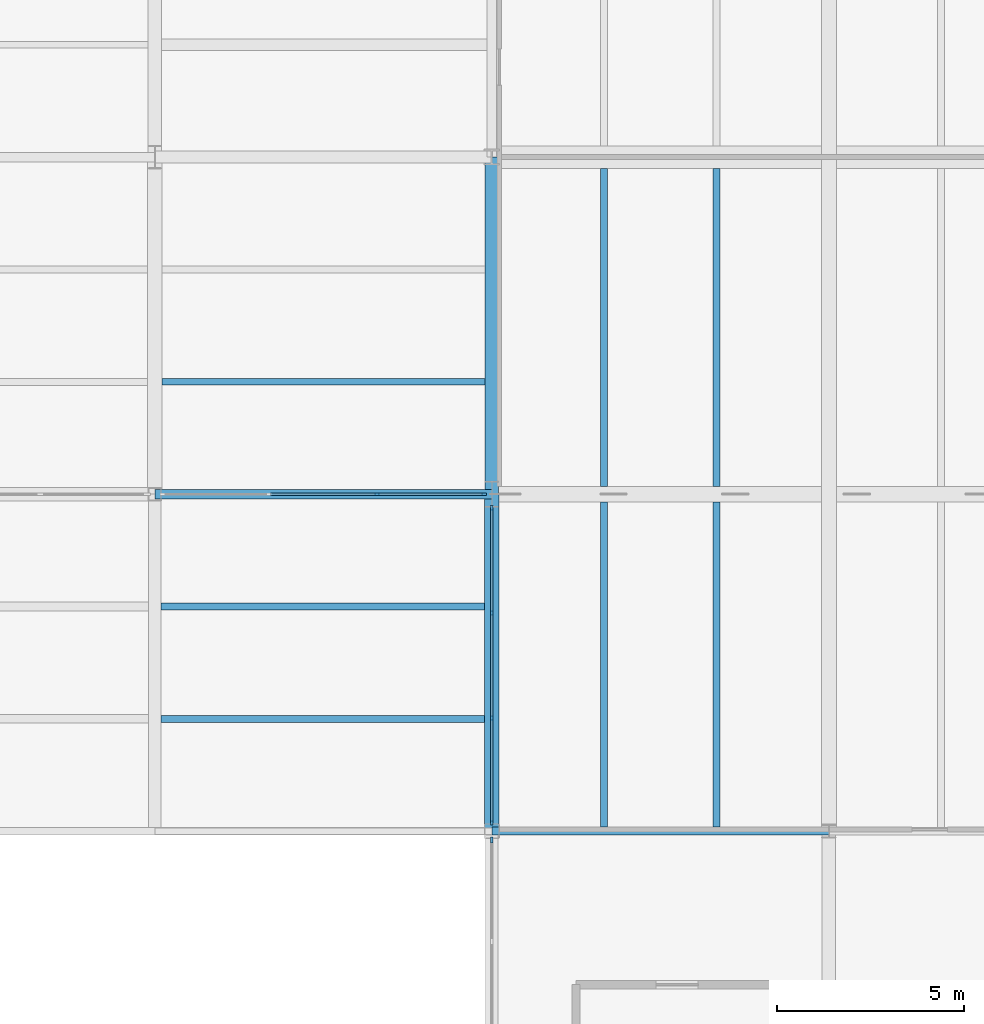
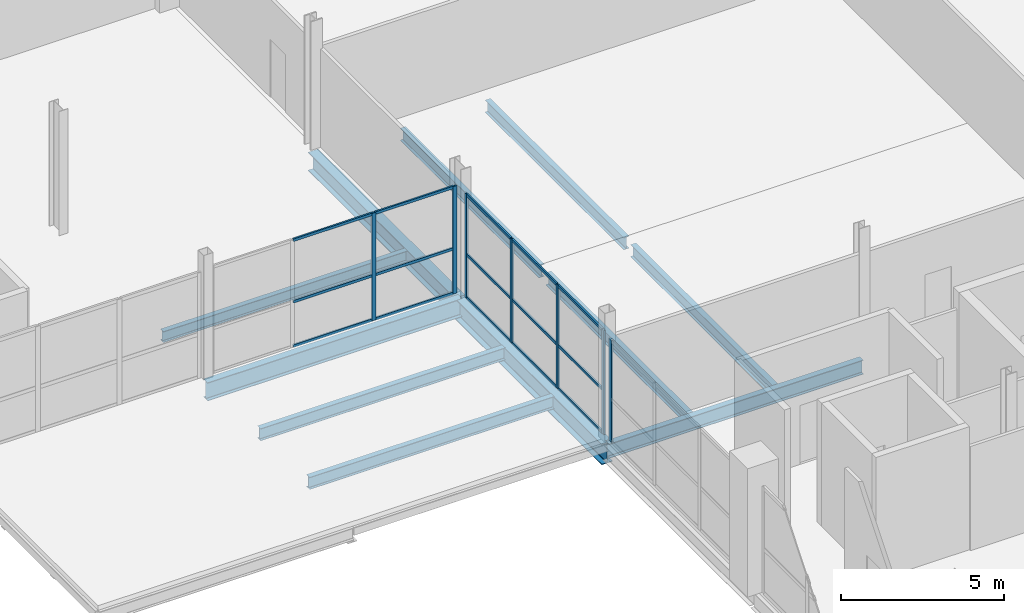
# One storey, part 17 of 69: 22 members, 11 beams, 3 elements without a shape of their own.
"""IFC4 building model written with IfcOpenShell, lengths in metres."""

from ifc_helpers import new_model, si_unit, direction, frame, origin, origin_2d, place, context, subcontext, project, spatial, rectangle, i_section, extrude, material, layer, layer_set, material_profile, profile_set, type_object, element, aggregate, save


model = new_model("IFC4")

# Units and contexts
model_context = context("Model", 3, precision=1e-05, world=origin(), true_north=direction((0.0, 1.0)))
body_context = subcontext(model_context, "Body", "Model", "MODEL_VIEW")
ifc_project = project(units=[si_unit("LENGTHUNIT", "METRE"), si_unit("AREAUNIT", "SQUARE_METRE"), si_unit("VOLUMEUNIT", "CUBIC_METRE"), si_unit("PLANEANGLEUNIT", "RADIAN"), si_unit("MASSUNIT", "GRAM", prefix="KILO")], contexts=[model_context])

# Site, building, storey
site_placement = place(None, origin())
site = spatial("IfcSite", under=ifc_project, at=site_placement, CompositionType="ELEMENT")
building_placement = place(site_placement, origin())
building = spatial("IfcBuilding", under=site, at=building_placement, Name="Qamarlyn Nura Convention Centre", CompositionType="ELEMENT")
storey_placement = place(building_placement, frame((0.0, 0.0, 15.60009765625)))
storey = spatial("IfcBuildingStorey", under=building, at=storey_placement, Name="L03", CompositionType="ELEMENT", Elevation=15.60009765625)

# Beams
ifc_material_1 = material(Name="Steel ASTM A992", Category="steel")
ifc_material_profile_1 = material_profile(ifc_material_1, i_section(OverallWidth=0.35498046875, OverallDepth=0.695068359375, WebThickness=0.015380859375, FlangeThickness=0.02490234375, FilletRadius=0.01806640625, at=origin_2d()), Name="W690X217")
ifc_profile_set_1 = profile_set([ifc_material_profile_1], Name="Steel ASTM A992")
beam_type_1 = type_object("IfcBeamType", Name="BM-GIRD-690A", PredefinedType="BEAM", material=ifc_profile_set_1)
beam_1_placement = place(storey_placement, frame((153.0, 27.0, -0.547607421875), z_axis=(0.0, 1.0, 0.0), x_axis=(-1.0, 0.0, 0.0)))
element("IfcBeam", 1, at=beam_1_placement, inside=storey, type_object=beam_type_1, Name="L03 girder 13 D-E", PredefinedType="BEAM", context=body_context, shape_type="SweptSolid", body=[
    extrude(i_section(OverallWidth=0.35498046875, OverallDepth=0.695068359375, WebThickness=0.015380859375, FlangeThickness=0.02490234375, FilletRadius=0.01806640625, at=origin_2d()), origin(), (0.0, 0.0, 1.0), 9.0),
])
ifc_material_profile_2 = material_profile(ifc_material_1, i_section(OverallWidth=0.25390625, OverallDepth=0.68408203125, WebThickness=0.012451171875, FlangeThickness=0.01904296875, FilletRadius=0.01806640625, at=origin_2d()), Name="W690X140")
ifc_profile_set_2 = profile_set([ifc_material_profile_2], Name="Steel ASTM A992")
beam_type_2 = type_object("IfcBeamType", Name="BM-GIRD-690B", PredefinedType="BEAM", material=ifc_profile_set_2)
beam_2_placement = place(storey_placement, frame((144.0, 27.0, -0.5419921875), z_axis=(1.0, 0.0, 0.0), x_axis=(0.0, 1.0, 0.0)))
element("IfcBeam", 2, at=beam_2_placement, inside=storey, type_object=beam_type_2, Name="L03 girder D 12-13", PredefinedType="BEAM", context=body_context, shape_type="SweptSolid", body=[
    extrude(i_section(OverallWidth=0.25390625, OverallDepth=0.68408203125, WebThickness=0.012451171875, FlangeThickness=0.01904296875, FilletRadius=0.01806640625, at=origin_2d()), origin(), (0.0, 0.0, 1.0), 9.0),
])
ifc_material_profile_3 = material_profile(ifc_material_1, i_section(OverallWidth=0.381103515625, OverallDepth=0.77294921875, WebThickness=0.0166015625, FlangeThickness=0.027587890625, FilletRadius=0.02001953125, at=origin_2d()), Name="W760X257")
ifc_profile_set_3 = profile_set([ifc_material_profile_3], Name="Steel ASTM A992")
beam_type_3 = type_object("IfcBeamType", Name="BM-GIRD-760", PredefinedType="BEAM", material=ifc_profile_set_3)
beam_3_placement = place(storey_placement, frame((153.0, 18.0, -0.586669921875), z_axis=(0.0, 1.0, 0.0), x_axis=(-1.0, 0.0, 0.0)))
element("IfcBeam", 3, at=beam_3_placement, inside=storey, type_object=beam_type_3, Name="L03 girder 13 C-D", PredefinedType="BEAM", context=body_context, shape_type="SweptSolid", body=[
    extrude(i_section(OverallWidth=0.381103515625, OverallDepth=0.77294921875, WebThickness=0.0166015625, FlangeThickness=0.027587890625, FilletRadius=0.02001953125, at=origin_2d()), origin(), (0.0, 0.0, 1.0), 9.0),
])
ifc_material_profile_4 = material_profile(ifc_material_1, i_section(OverallWidth=0.177978515625, OverallDepth=0.406982421875, WebThickness=0.0078125, FlangeThickness=0.0126953125, FilletRadius=0.011962890625, at=origin_2d()), Name="W410X60")
ifc_profile_set_4 = profile_set([ifc_material_profile_4], Name="Steel ASTM A992")
beam_type_4 = type_object("IfcBeamType", Name="BM-JOIST-410", PredefinedType="JOIST", material=ifc_profile_set_4)
beam_4_placement = place(storey_placement, frame((144.1904296875, 30.0, -0.403564453125), z_axis=(1.0, 0.0, 0.0), x_axis=(0.0, 1.0, 0.0)))
element("IfcBeam", 4, at=beam_4_placement, inside=storey, type_object=beam_type_4, Name="L03 composite joist 12-13/D+1", PredefinedType="JOIST", context=body_context, shape_type="SweptSolid", body=[
    extrude(i_section(OverallWidth=0.177978515625, OverallDepth=0.406982421875, WebThickness=0.0078125, FlangeThickness=0.0126953125, FilletRadius=0.011962890625, at=origin_2d()), origin(), (0.0, 0.0, 1.0), 8.632080078125),
])
ifc_material_profile_5 = material_profile(ifc_material_1, i_section(OverallWidth=0.18994140625, OverallDepth=0.45703125, WebThickness=0.009033203125, FlangeThickness=0.014404296875, FilletRadius=0.012939453125, at=origin_2d()), Name="W460X74")
ifc_profile_set_5 = profile_set([ifc_material_profile_5], Name="Steel ASTM A992")
beam_type_5 = type_object("IfcBeamType", Name="BM-JOIST-460", PredefinedType="JOIST", material=ifc_profile_set_5)
for number, where, z_axis, x_axis, name in (
    (5, (144.162109375, 21.0, -0.403564453125), (1.0, 0.0, 0.0), (0.0, 1.0, 0.0), "L03 composite joist 12-13/C+1"),
    (6, (144.162109375, 24.0, -0.403564453125), (1.0, 0.0, 0.0), (0.0, 1.0, 0.0), "L03 composite joist 12-13/C+2"),
):
    element("IfcBeam", number, at=place(storey_placement, frame(where, z_axis=z_axis, x_axis=x_axis)), inside=storey, type_object=beam_type_5, Name=name, PredefinedType="JOIST", context=body_context, shape_type="SweptSolid", body=[
        extrude(i_section(OverallWidth=0.18994140625, OverallDepth=0.45703125, WebThickness=0.009033203125, FlangeThickness=0.014404296875, FilletRadius=0.012939453125, at=origin_2d()), origin(), (0.0, 0.0, 1.0), 8.6474609375),
    ])
for number, where, z_axis, x_axis, name in (
    (7, (156.0, 18.10546875, -0.4287109375), (0.0, 1.0, 0.0), (-1.0, 0.0, 0.0), "L03 secondary joist 13-14/C-D-04"),
    (8, (159.0, 18.10546875, -0.4287109375), (0.0, 1.0, 0.0), (-1.0, 0.0, 0.0), "L03 secondary joist 13-14/C-D-05"),
):
    element("IfcBeam", number, at=place(storey_placement, frame(where, z_axis=z_axis, x_axis=x_axis)), inside=storey, type_object=beam_type_5, Name=name, PredefinedType="JOIST", context=body_context, shape_type="SweptSolid", body=[
        extrude(i_section(OverallWidth=0.18994140625, OverallDepth=0.45703125, WebThickness=0.009033203125, FlangeThickness=0.014404296875, FilletRadius=0.012939453125, at=origin_2d()), origin(), (0.0, 0.0, 1.0), 8.685546875),
    ])
for number, where, z_axis, x_axis, name in (
    (9, (156.0, 27.208984375, -0.4287109375), (0.0, 1.0, 0.0), (-1.0, 0.0, 0.0), "L03 secondary joist 13-14/D-E-06"),
    (10, (159.0, 27.208984375, -0.4287109375), (0.0, 1.0, 0.0), (-1.0, 0.0, 0.0), "L03 secondary joist 13-14/D-E-07"),
):
    element("IfcBeam", number, at=place(storey_placement, frame(where, z_axis=z_axis, x_axis=x_axis)), inside=storey, type_object=beam_type_5, Name=name, PredefinedType="JOIST", context=body_context, shape_type="SweptSolid", body=[
        extrude(i_section(OverallWidth=0.18994140625, OverallDepth=0.45703125, WebThickness=0.009033203125, FlangeThickness=0.014404296875, FilletRadius=0.012939453125, at=origin_2d()), origin(), (0.0, 0.0, 1.0), 8.490966796875),
    ])
ifc_material_profile_6 = material_profile(ifc_material_1, i_section(OverallWidth=0.2109375, OverallDepth=0.5390625, WebThickness=0.01171875, FlangeThickness=0.018798828125, FilletRadius=0.013916015625, at=origin_2d()), Name="W530X109")
ifc_profile_set_6 = profile_set([ifc_material_profile_6], Name="Steel ASTM A992")
beam_type_6 = type_object("IfcBeamType", Name="BM-SPAN-530", PredefinedType="SPANDREL", material=ifc_profile_set_6)
beam_5_placement = place(storey_placement, frame((153.0, 18.0, -0.469482421875), z_axis=(1.0, 0.0, 0.0), x_axis=(0.0, 1.0, 0.0)))
element("IfcBeam", 11, at=beam_5_placement, inside=storey, type_object=beam_type_6, Name="L03 girder C 13-14", PredefinedType="SPANDREL", context=body_context, shape_type="SweptSolid", body=[
    extrude(i_section(OverallWidth=0.2109375, OverallDepth=0.5390625, WebThickness=0.01171875, FlangeThickness=0.018798828125, FilletRadius=0.013916015625, at=origin_2d()), origin(), (0.0, 0.0, 1.0), 9.0),
])

# Curtain wall, members
ifc_material_2 = material(Name="Double-silver low-E insulated glass", Category="glass")
ifc_layer_1 = layer(ifc_material_2, 0.179931640625, Name="CW-UNIT-123")
ifc_layer_set_1 = layer_set([ifc_layer_1], Name="Double-silver low-E insulated glass")
curtain_wall_type_1 = type_object("IfcCurtainWallType", Name="CW-UNIT-123", PredefinedType="NOTDEFINED", material=ifc_layer_set_1)
curtain_wall_1_placement = place(storey_placement, origin())
curtain_wall_1 = element("IfcCurtainWall", 12, at=curtain_wall_1_placement, inside=storey, type_object=curtain_wall_type_1, Name="L03 unitised curtain wall FCW-18-1", PredefinedType="NOTDEFINED")
ifc_material_3 = material(Name="Champagne-anodised marine aluminium", Category="aluminium")
ifc_material_profile_7 = material_profile(ifc_material_3, rectangle(XDim=0.06005859375, YDim=0.139892578125, at=origin_2d()), Name="ALU MULLION 60x140")
ifc_profile_set_7 = profile_set([ifc_material_profile_7], Name="Champagne-anodised marine aluminium")
member_type_1 = type_object("IfcMemberType", Name="CWM-140", PredefinedType="MULLION", material=ifc_profile_set_7)
member_1_placement = place(storey_placement, frame((153.0, 18.22998046875, 0.0), z_axis=(0.0, 0.0, 1.0), x_axis=(-1.0, 0.0, 0.0)))
member_1 = element("IfcMember", 13, at=member_1_placement, type_object=member_type_1, Name="CW123 mullion 1", PredefinedType="MULLION", context=body_context, shape_type="SweptSolid", body=[
    extrude(rectangle(XDim=0.06005859375, YDim=0.139892578125, at=origin_2d()), origin(), (0.0, 0.0, 1.0), 3.889892578125),
])
member_2_placement = place(storey_placement, frame((153.0, 21.017578125, 0.0), z_axis=(0.0, 0.0, 1.0), x_axis=(-1.0, 0.0, 0.0)))
member_2 = element("IfcMember", 14, at=member_2_placement, type_object=member_type_1, Name="CW123 mullion 2", PredefinedType="MULLION", context=body_context, shape_type="SweptSolid", body=[
    extrude(rectangle(XDim=0.06005859375, YDim=0.139892578125, at=origin_2d()), origin(), (0.0, 0.0, 1.0), 3.889892578125),
])
member_3_placement = place(storey_placement, frame((153.0, 23.8349609375, 0.0), z_axis=(0.0, 0.0, 1.0), x_axis=(-1.0, 0.0, 0.0)))
member_3 = element("IfcMember", 15, at=member_3_placement, type_object=member_type_1, Name="CW123 mullion 3", PredefinedType="MULLION", context=body_context, shape_type="SweptSolid", body=[
    extrude(rectangle(XDim=0.06005859375, YDim=0.139892578125, at=origin_2d()), origin(), (0.0, 0.0, 1.0), 3.889892578125),
])
member_4_placement = place(storey_placement, frame((153.0, 26.62255859375, 0.0), z_axis=(0.0, 0.0, 1.0), x_axis=(-1.0, 0.0, 0.0)))
member_4 = element("IfcMember", 16, at=member_4_placement, type_object=member_type_1, Name="CW123 mullion 4", PredefinedType="MULLION", context=body_context, shape_type="SweptSolid", body=[
    extrude(rectangle(XDim=0.06005859375, YDim=0.139892578125, at=origin_2d()), origin(), (0.0, 0.0, 1.0), 3.889892578125),
])

ifc_layer_2 = layer(ifc_material_2, 0.179931640625, Name="CW-UNIT-126")
ifc_layer_set_2 = layer_set([ifc_layer_2], Name="Double-silver low-E insulated glass")
curtain_wall_type_2 = type_object("IfcCurtainWallType", Name="CW-UNIT-126", PredefinedType="NOTDEFINED", material=ifc_layer_set_2)
curtain_wall_2_placement = place(storey_placement, origin())
curtain_wall_2 = element("IfcCurtainWall", 17, at=curtain_wall_2_placement, inside=storey, type_object=curtain_wall_type_2, Name="L03 unitised curtain wall WSS-L03-1", PredefinedType="NOTDEFINED")
member_5_placement = place(storey_placement, frame((152.79248046875, 27.0, 0.0), z_axis=(0.0, 0.0, 1.0), x_axis=(0.0, -1.0, 0.0)))
member_5 = element("IfcMember", 18, at=member_5_placement, type_object=member_type_1, Name="CW126 mullion 1", PredefinedType="MULLION", context=body_context, shape_type="SweptSolid", body=[
    extrude(rectangle(XDim=0.06005859375, YDim=0.139892578125, at=origin_2d()), origin(), (0.0, 0.0, 1.0), 4.013916015625),
])
member_6_placement = place(storey_placement, frame((149.93994140625, 27.0, 0.0), z_axis=(0.0, 0.0, 1.0), x_axis=(0.0, -1.0, 0.0)))
member_6 = element("IfcMember", 19, at=member_6_placement, type_object=member_type_1, Name="CW126 mullion 2", PredefinedType="MULLION", context=body_context, shape_type="SweptSolid", body=[
    extrude(rectangle(XDim=0.06005859375, YDim=0.139892578125, at=origin_2d()), origin(), (0.0, 0.0, 1.0), 4.013916015625),
])

# Curtain wall, member
ifc_layer_3 = layer(ifc_material_2, 0.179931640625, Name="CW-UNIT-122")
ifc_layer_set_3 = layer_set([ifc_layer_3], Name="Double-silver low-E insulated glass")
curtain_wall_type_3 = type_object("IfcCurtainWallType", Name="CW-UNIT-122", PredefinedType="NOTDEFINED", material=ifc_layer_set_3)
curtain_wall_3_placement = place(storey_placement, origin())
curtain_wall_3 = element("IfcCurtainWall", 20, at=curtain_wall_3_placement, inside=storey, type_object=curtain_wall_type_3, Name="L03 unitised curtain wall FCW-9-1", PredefinedType="NOTDEFINED")
ifc_material_profile_8 = material_profile(ifc_material_3, rectangle(XDim=0.06494140625, YDim=0.159912109375, at=origin_2d()), Name="ALU MULLION 65x160")
ifc_profile_set_8 = profile_set([ifc_material_profile_8], Name="Champagne-anodised marine aluminium")
member_type_2 = type_object("IfcMemberType", Name="CWM-160", PredefinedType="MULLION", material=ifc_profile_set_8)
member_7_placement = place(storey_placement, frame((153.0, 17.767578125, 0.0), z_axis=(0.0, 0.0, 1.0), x_axis=(-1.0, 0.0, 0.0)))
member_7 = element("IfcMember", 21, at=member_7_placement, type_object=member_type_2, Name="CW122 mullion 4", PredefinedType="MULLION", context=body_context, shape_type="SweptSolid", body=[
    extrude(rectangle(XDim=0.06494140625, YDim=0.159912109375, at=origin_2d()), origin(), (0.0, 0.0, 1.0), 3.81201171875),
])
aggregate(curtain_wall_3, [member_7])

# Member
ifc_material_profile_9 = material_profile(ifc_material_3, rectangle(XDim=0.06005859375, YDim=0.10009765625, at=origin_2d()), Name="ALU TRANSOM 60x100")
ifc_profile_set_9 = profile_set([ifc_material_profile_9], Name="Champagne-anodised marine aluminium")
member_type_3 = type_object("IfcMemberType", Name="CWT-100", PredefinedType="USERDEFINED", material=ifc_profile_set_9)
member_8_placement = place(storey_placement, frame((153.0, 18.260009765625, 0.02978515625), z_axis=(0.0, 1.0, 0.0), x_axis=(-1.0, 0.0, 0.0)))
member_8 = element("IfcMember", 22, at=member_8_placement, type_object=member_type_3, Name="CW123 transom 1.1", ObjectType="TRANSOM", PredefinedType="USERDEFINED", context=body_context, shape_type="SweptSolid", body=[
    extrude(rectangle(XDim=0.06005859375, YDim=0.10009765625, at=origin_2d()), origin(), (0.0, 0.0, 1.0), 2.7275390625),
])

member_9_placement = place(storey_placement, frame((153.0, 18.260009765625, 1.6337890625), z_axis=(0.0, 1.0, 0.0), x_axis=(-1.0, 0.0, 0.0)))
member_9 = element("IfcMember", 23, at=member_9_placement, type_object=member_type_3, Name="CW123 transom 1.2", ObjectType="TRANSOM", PredefinedType="USERDEFINED", context=body_context, shape_type="SweptSolid", body=[
    extrude(rectangle(XDim=0.06005859375, YDim=0.10009765625, at=origin_2d()), origin(), (0.0, 0.0, 1.0), 2.7275390625),
])

member_10_placement = place(storey_placement, frame((153.0, 18.260009765625, 3.85986328125), z_axis=(0.0, 1.0, 0.0), x_axis=(-1.0, 0.0, 0.0)))
member_10 = element("IfcMember", 24, at=member_10_placement, type_object=member_type_3, Name="CW123 transom 1.3", ObjectType="TRANSOM", PredefinedType="USERDEFINED", context=body_context, shape_type="SweptSolid", body=[
    extrude(rectangle(XDim=0.06005859375, YDim=0.10009765625, at=origin_2d()), origin(), (0.0, 0.0, 1.0), 2.7275390625),
])

member_11_placement = place(storey_placement, frame((153.0, 21.047607421875, 0.02978515625), z_axis=(0.0, 1.0, 0.0), x_axis=(-1.0, 0.0, 0.0)))
member_11 = element("IfcMember", 25, at=member_11_placement, type_object=member_type_3, Name="CW123 transom 2.1", ObjectType="TRANSOM", PredefinedType="USERDEFINED", context=body_context, shape_type="SweptSolid", body=[
    extrude(rectangle(XDim=0.06005859375, YDim=0.10009765625, at=origin_2d()), origin(), (0.0, 0.0, 1.0), 2.75732421875),
])

member_12_placement = place(storey_placement, frame((153.0, 21.047607421875, 1.6337890625), z_axis=(0.0, 1.0, 0.0), x_axis=(-1.0, 0.0, 0.0)))
member_12 = element("IfcMember", 26, at=member_12_placement, type_object=member_type_3, Name="CW123 transom 2.2", ObjectType="TRANSOM", PredefinedType="USERDEFINED", context=body_context, shape_type="SweptSolid", body=[
    extrude(rectangle(XDim=0.06005859375, YDim=0.10009765625, at=origin_2d()), origin(), (0.0, 0.0, 1.0), 2.75732421875),
])

member_13_placement = place(storey_placement, frame((153.0, 21.047607421875, 3.85986328125), z_axis=(0.0, 1.0, 0.0), x_axis=(-1.0, 0.0, 0.0)))
member_13 = element("IfcMember", 27, at=member_13_placement, type_object=member_type_3, Name="CW123 transom 2.3", ObjectType="TRANSOM", PredefinedType="USERDEFINED", context=body_context, shape_type="SweptSolid", body=[
    extrude(rectangle(XDim=0.06005859375, YDim=0.10009765625, at=origin_2d()), origin(), (0.0, 0.0, 1.0), 2.75732421875),
])

member_14_placement = place(storey_placement, frame((153.0, 23.864990234375, 0.02978515625), z_axis=(0.0, 1.0, 0.0), x_axis=(-1.0, 0.0, 0.0)))
member_14 = element("IfcMember", 28, at=member_14_placement, type_object=member_type_3, Name="CW123 transom 3.1", ObjectType="TRANSOM", PredefinedType="USERDEFINED", context=body_context, shape_type="SweptSolid", body=[
    extrude(rectangle(XDim=0.06005859375, YDim=0.10009765625, at=origin_2d()), origin(), (0.0, 0.0, 1.0), 2.7275390625),
])

member_15_placement = place(storey_placement, frame((153.0, 23.864990234375, 1.6337890625), z_axis=(0.0, 1.0, 0.0), x_axis=(-1.0, 0.0, 0.0)))
member_15 = element("IfcMember", 29, at=member_15_placement, type_object=member_type_3, Name="CW123 transom 3.2", ObjectType="TRANSOM", PredefinedType="USERDEFINED", context=body_context, shape_type="SweptSolid", body=[
    extrude(rectangle(XDim=0.06005859375, YDim=0.10009765625, at=origin_2d()), origin(), (0.0, 0.0, 1.0), 2.7275390625),
])

member_16_placement = place(storey_placement, frame((153.0, 23.864990234375, 3.85986328125), z_axis=(0.0, 1.0, 0.0), x_axis=(-1.0, 0.0, 0.0)))
member_16 = element("IfcMember", 30, at=member_16_placement, type_object=member_type_3, Name="CW123 transom 3.3", ObjectType="TRANSOM", PredefinedType="USERDEFINED", context=body_context, shape_type="SweptSolid", body=[
    extrude(rectangle(XDim=0.06005859375, YDim=0.10009765625, at=origin_2d()), origin(), (0.0, 0.0, 1.0), 2.7275390625),
])

aggregate(curtain_wall_1, [member_1, member_2, member_3, member_4, member_8, member_9, member_10, member_11, member_12, member_13, member_14, member_15, member_16])

member_17_placement = place(storey_placement, frame((152.762451171875, 27.0, 0.02978515625), z_axis=(-1.0, 0.0, 0.0), x_axis=(0.0, -1.0, 0.0)))
member_17 = element("IfcMember", 31, at=member_17_placement, type_object=member_type_3, Name="CW126 transom 1.1", ObjectType="TRANSOM", PredefinedType="USERDEFINED", context=body_context, shape_type="SweptSolid", body=[
    extrude(rectangle(XDim=0.06005859375, YDim=0.10009765625, at=origin_2d()), origin(), (0.0, 0.0, 1.0), 2.79248046875),
])

member_18_placement = place(storey_placement, frame((152.762451171875, 27.0, 1.685791015625), z_axis=(-1.0, 0.0, 0.0), x_axis=(0.0, -1.0, 0.0)))
member_18 = element("IfcMember", 32, at=member_18_placement, type_object=member_type_3, Name="CW126 transom 1.2", ObjectType="TRANSOM", PredefinedType="USERDEFINED", context=body_context, shape_type="SweptSolid", body=[
    extrude(rectangle(XDim=0.06005859375, YDim=0.10009765625, at=origin_2d()), origin(), (0.0, 0.0, 1.0), 2.79248046875),
])

member_19_placement = place(storey_placement, frame((152.762451171875, 27.0, 3.98388671875), z_axis=(-1.0, 0.0, 0.0), x_axis=(0.0, -1.0, 0.0)))
member_19 = element("IfcMember", 33, at=member_19_placement, type_object=member_type_3, Name="CW126 transom 1.3", ObjectType="TRANSOM", PredefinedType="USERDEFINED", context=body_context, shape_type="SweptSolid", body=[
    extrude(rectangle(XDim=0.06005859375, YDim=0.10009765625, at=origin_2d()), origin(), (0.0, 0.0, 1.0), 2.79248046875),
])

member_20_placement = place(storey_placement, frame((149.909912109375, 27.0, 0.02978515625), z_axis=(-1.0, 0.0, 0.0), x_axis=(0.0, -1.0, 0.0)))
member_20 = element("IfcMember", 34, at=member_20_placement, type_object=member_type_3, Name="CW126 transom 2.1", ObjectType="TRANSOM", PredefinedType="USERDEFINED", context=body_context, shape_type="SweptSolid", body=[
    extrude(rectangle(XDim=0.06005859375, YDim=0.10009765625, at=origin_2d()), origin(), (0.0, 0.0, 1.0), 2.822509765625),
])

member_21_placement = place(storey_placement, frame((149.909912109375, 27.0, 1.685791015625), z_axis=(-1.0, 0.0, 0.0), x_axis=(0.0, -1.0, 0.0)))
member_21 = element("IfcMember", 35, at=member_21_placement, type_object=member_type_3, Name="CW126 transom 2.2", ObjectType="TRANSOM", PredefinedType="USERDEFINED", context=body_context, shape_type="SweptSolid", body=[
    extrude(rectangle(XDim=0.06005859375, YDim=0.10009765625, at=origin_2d()), origin(), (0.0, 0.0, 1.0), 2.822509765625),
])

member_22_placement = place(storey_placement, frame((149.909912109375, 27.0, 3.98388671875), z_axis=(-1.0, 0.0, 0.0), x_axis=(0.0, -1.0, 0.0)))
member_22 = element("IfcMember", 36, at=member_22_placement, type_object=member_type_3, Name="CW126 transom 2.3", ObjectType="TRANSOM", PredefinedType="USERDEFINED", context=body_context, shape_type="SweptSolid", body=[
    extrude(rectangle(XDim=0.06005859375, YDim=0.10009765625, at=origin_2d()), origin(), (0.0, 0.0, 1.0), 2.822509765625),
])

aggregate(curtain_wall_2, [member_5, member_6, member_17, member_18, member_19, member_20, member_21, member_22])

save(model, "model.ifc")
